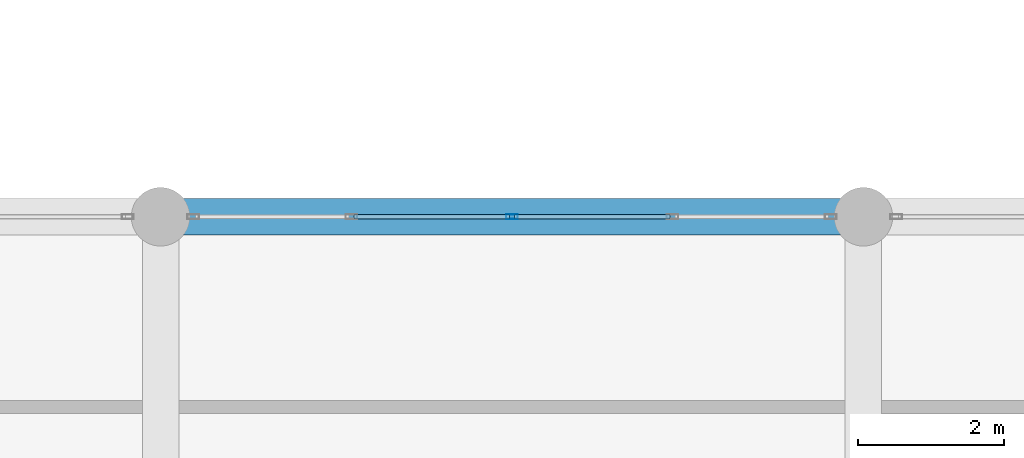
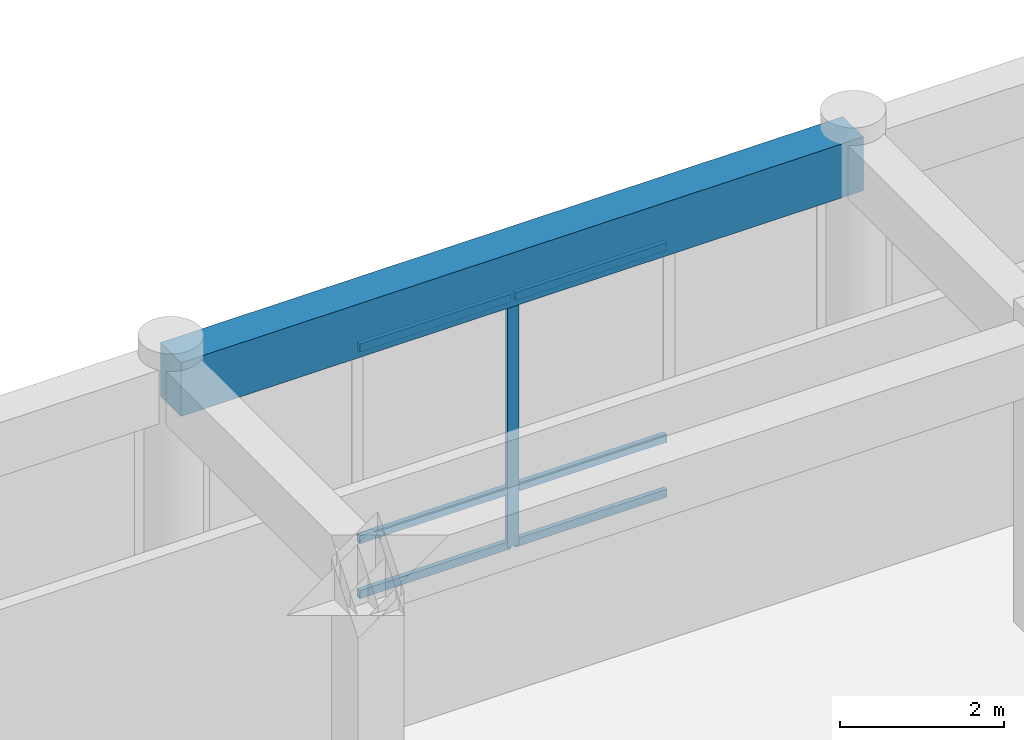
# One storey, part 12 of 101: 7 members, 1 beam, 1 element without a shape of its own.
"""IFC4 building model written with IfcOpenShell, lengths in metres."""

from ifc_helpers import new_model, si_unit, direction, frame, origin, origin_2d, place, context, subcontext, project, spatial, rectangle, hollow_rectangle, extrude, material, layer, layer_set, material_profile, profile_set, type_object, element, aggregate, save


model = new_model("IFC4")

# Units and contexts
model_context = context("Model", 3, precision=1e-05, world=origin(), true_north=direction((0.0, 1.0)))
body_context = subcontext(model_context, "Body", "Model", "MODEL_VIEW")
ifc_project = project(units=[si_unit("LENGTHUNIT", "METRE"), si_unit("AREAUNIT", "SQUARE_METRE"), si_unit("VOLUMEUNIT", "CUBIC_METRE"), si_unit("PLANEANGLEUNIT", "RADIAN"), si_unit("MASSUNIT", "GRAM", prefix="KILO")], contexts=[model_context])

# Site, building, storey
site_placement = place(None, origin())
site = spatial("IfcSite", under=ifc_project, at=site_placement, CompositionType="ELEMENT")
building_placement = place(site_placement, origin())
building = spatial("IfcBuilding", under=site, at=building_placement, Name="Nakhvara Creek Congress Hotel", CompositionType="ELEMENT")
storey_placement = place(building_placement, frame((0.0, 0.0, 16.199951171875)))
storey = spatial("IfcBuildingStorey", under=building, at=storey_placement, Name="L03", CompositionType="ELEMENT", Elevation=16.199951171875)

# Beam
ifc_material_1 = material(Name="Concrete C40/50", Category="concrete")
ifc_material_profile_1 = material_profile(ifc_material_1, rectangle(XDim=0.5, YDim=0.800048828125, at=origin_2d()), Name="RC-BM 500x800", Category="LoadBearing")
ifc_profile_set_1 = profile_set([ifc_material_profile_1], Name="Concrete C40/50")
beam_type = type_object("IfcBeamType", Name="BM-RC-500X800", PredefinedType="BEAM", material=ifc_profile_set_1)
beam_placement = place(storey_placement, frame((105.60009765625, 43.199951171875, 4.14013671875), z_axis=(1.0, 0.0, 0.0), x_axis=(0.0, 1.0, 0.0)))
element("IfcBeam", 1, at=beam_placement, inside=storey, type_object=beam_type, Name="Beam B03-L03-1744", PredefinedType="BEAM", context=body_context, shape_type="SweptSolid", body=[
    extrude(rectangle(XDim=0.5, YDim=0.800048828125, at=origin_2d()), origin(), (0.0, 0.0, 1.0), 9.599853515625),
])

# Curtain wall, members
ifc_material_2 = material(Name="Bronze-anodised aluminium AW-6063-T6 and double-silver low-E glass", Category="aluminium")
ifc_layer = layer(ifc_material_2, 0.199951171875)
ifc_layer_set = layer_set([ifc_layer], Name="Bronze-anodised aluminium AW-6063-T6 and double-silver low-E glass")
curtain_wall_type = type_object("IfcCurtainWallType", Name="CW-POD-STICK", PredefinedType="NOTDEFINED", material=ifc_layer_set)
curtain_wall_placement = place(storey_placement, origin())
curtain_wall = element("IfcCurtainWall", 2, at=curtain_wall_placement, inside=storey, type_object=curtain_wall_type, Name="Curtain Wall CW055", PredefinedType="NOTDEFINED")
ifc_material_3 = material(Name="Bronze-anodised aluminium AW-6063-T6", Category="aluminium")
ifc_material_profile_2 = material_profile(ifc_material_3, hollow_rectangle(XDim=0.06494140625, YDim=0.159912109375, WallThickness=0.00390625, at=origin_2d()), Name="ALU-MULL 65x160x4", Category="LoadBearing")
ifc_profile_set_2 = profile_set([ifc_material_profile_2], Name="Bronze-anodised aluminium AW-6063-T6")
member_type_1 = type_object("IfcMemberType", Name="CW-MULL-160", PredefinedType="MULLION", material=ifc_profile_set_2)
member_1_placement = place(storey_placement, frame((110.39990234375, 43.199951171875, 0.0), z_axis=(0.0, 0.0, 1.0), x_axis=(0.0, 1.0, 0.0)))
member_1 = element("IfcMember", 3, at=member_1_placement, type_object=member_type_1, Name="CW055 mullion 3", PredefinedType="MULLION", context=body_context, shape_type="SweptSolid", body=[
    extrude(hollow_rectangle(XDim=0.06494140625, YDim=0.159912109375, WallThickness=0.00390625, at=origin_2d()), origin(), (0.0, 0.0, 1.0), 3.73193359375),
])
ifc_material_profile_3 = material_profile(ifc_material_3, hollow_rectangle(XDim=0.06494140625, YDim=0.1201171875, WallThickness=0.00390625, at=origin_2d()), Name="ALU-TRAN 65x120x4", Category="LoadBearing")
ifc_profile_set_3 = profile_set([ifc_material_profile_3], Name="Bronze-anodised aluminium AW-6063-T6")
member_type_2 = type_object("IfcMemberType", Name="CW-TRAN-120", PredefinedType="USERDEFINED", material=ifc_profile_set_3)
member_2_placement = place(storey_placement, frame((108.239990234375, 43.199951171875, 0.032470703125), z_axis=(1.0, 0.0, 0.0), x_axis=(0.0, 1.0, 0.0)))
member_2 = element("IfcMember", 4, at=member_2_placement, type_object=member_type_2, Name="CW055 transom 2.1", ObjectType="TRANSOM", PredefinedType="USERDEFINED", context=body_context, shape_type="SweptSolid", body=[
    extrude(hollow_rectangle(XDim=0.06494140625, YDim=0.1201171875, WallThickness=0.00390625, at=origin_2d()), origin(), (0.0, 0.0, 1.0), 2.12744140625),
])
member_3_placement = place(storey_placement, frame((108.239990234375, 43.199951171875, 0.85009765625), z_axis=(1.0, 0.0, 0.0), x_axis=(0.0, 1.0, 0.0)))
member_3 = element("IfcMember", 5, at=member_3_placement, type_object=member_type_2, Name="CW055 transom 2.2", ObjectType="TRANSOM", PredefinedType="USERDEFINED", context=body_context, shape_type="SweptSolid", body=[
    extrude(hollow_rectangle(XDim=0.06494140625, YDim=0.1201171875, WallThickness=0.00390625, at=origin_2d()), origin(), (0.0, 0.0, 1.0), 2.12744140625),
])
member_4_placement = place(storey_placement, frame((108.239990234375, 43.199951171875, 3.699462890625), z_axis=(1.0, 0.0, 0.0), x_axis=(0.0, 1.0, 0.0)))
member_4 = element("IfcMember", 6, at=member_4_placement, type_object=member_type_2, Name="CW055 transom 2.3", ObjectType="TRANSOM", PredefinedType="USERDEFINED", context=body_context, shape_type="SweptSolid", body=[
    extrude(hollow_rectangle(XDim=0.06494140625, YDim=0.1201171875, WallThickness=0.00390625, at=origin_2d()), origin(), (0.0, 0.0, 1.0), 2.12744140625),
])
member_5_placement = place(storey_placement, frame((110.4326171875, 43.199951171875, 0.032470703125), z_axis=(1.0, 0.0, 0.0), x_axis=(0.0, 1.0, 0.0)))
member_5 = element("IfcMember", 7, at=member_5_placement, type_object=member_type_2, Name="CW055 transom 3.1", ObjectType="TRANSOM", PredefinedType="USERDEFINED", context=body_context, shape_type="SweptSolid", body=[
    extrude(hollow_rectangle(XDim=0.06494140625, YDim=0.1201171875, WallThickness=0.00390625, at=origin_2d()), origin(), (0.0, 0.0, 1.0), 2.12744140625),
])
member_6_placement = place(storey_placement, frame((110.4326171875, 43.199951171875, 0.85009765625), z_axis=(1.0, 0.0, 0.0), x_axis=(0.0, 1.0, 0.0)))
member_6 = element("IfcMember", 8, at=member_6_placement, type_object=member_type_2, Name="CW055 transom 3.2", ObjectType="TRANSOM", PredefinedType="USERDEFINED", context=body_context, shape_type="SweptSolid", body=[
    extrude(hollow_rectangle(XDim=0.06494140625, YDim=0.1201171875, WallThickness=0.00390625, at=origin_2d()), origin(), (0.0, 0.0, 1.0), 2.12744140625),
])
member_7_placement = place(storey_placement, frame((110.4326171875, 43.199951171875, 3.699462890625), z_axis=(1.0, 0.0, 0.0), x_axis=(0.0, 1.0, 0.0)))
member_7 = element("IfcMember", 9, at=member_7_placement, type_object=member_type_2, Name="CW055 transom 3.3", ObjectType="TRANSOM", PredefinedType="USERDEFINED", context=body_context, shape_type="SweptSolid", body=[
    extrude(hollow_rectangle(XDim=0.06494140625, YDim=0.1201171875, WallThickness=0.00390625, at=origin_2d()), origin(), (0.0, 0.0, 1.0), 2.12744140625),
])
aggregate(curtain_wall, [member_1, member_2, member_3, member_4, member_5, member_6, member_7])

save(model, "model.ifc")
